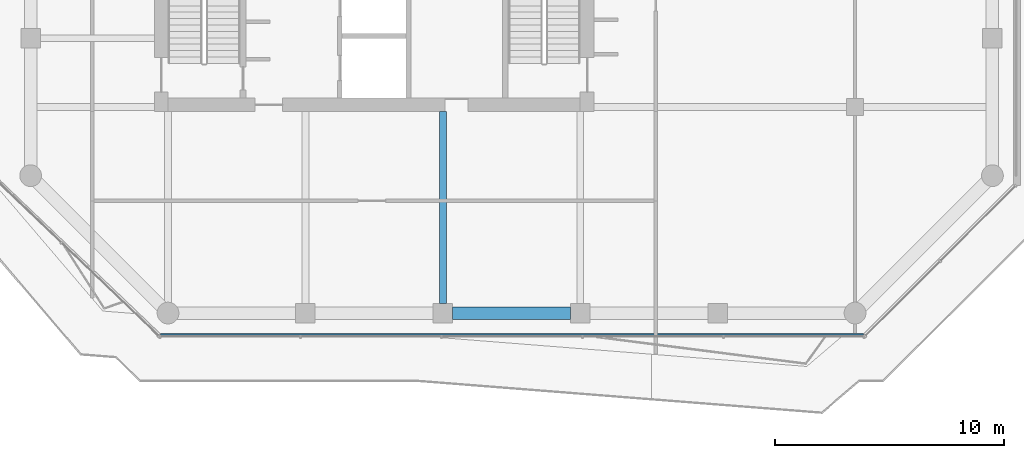
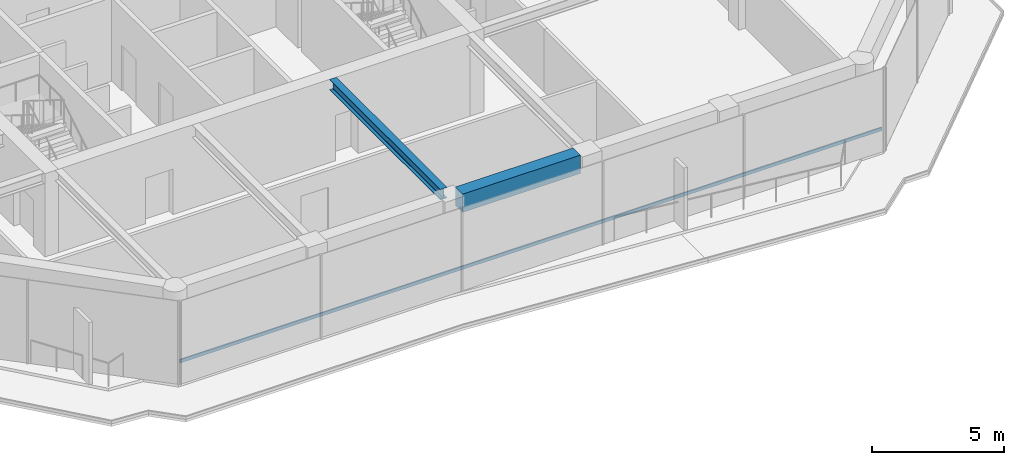
# One storey, part 3 of 22: 2 beams, 1 member, 1 element without a shape of its own.
"""IFC4 building model written with IfcOpenShell, lengths in metres."""

from ifc_helpers import new_model, si_unit, direction, frame, origin, origin_2d, place, context, subcontext, project, spatial, rectangle, i_section, extrude, material, layer, layer_set, material_profile, profile_set, type_object, element, aggregate, save


model = new_model("IFC4")

# Units and contexts
model_context = context("Model", 3, precision=1e-05, world=origin(), true_north=direction((0.0, 1.0)))
body_context = subcontext(model_context, "Body", "Model", "MODEL_VIEW")
ifc_project = project(units=[si_unit("LENGTHUNIT", "METRE"), si_unit("AREAUNIT", "SQUARE_METRE"), si_unit("VOLUMEUNIT", "CUBIC_METRE"), si_unit("PLANEANGLEUNIT", "RADIAN"), si_unit("MASSUNIT", "GRAM", prefix="KILO")], contexts=[model_context])

# Site, building, storey
site_placement = place(None, origin())
site = spatial("IfcSite", under=ifc_project, at=site_placement, CompositionType="ELEMENT")
building_placement = place(site_placement, origin())
building = spatial("IfcBuilding", under=site, at=building_placement, Name="Welwitschia Terrace Campus", CompositionType="ELEMENT")
storey_placement = place(building_placement, frame((0.0, 0.0, 150.800048828125)))
storey = spatial("IfcBuildingStorey", under=building, at=storey_placement, Name="L33", CompositionType="ELEMENT", Elevation=150.800048828125)

# Beams
ifc_material_1 = material(Name="Steel S355", Category="steel")
ifc_material_profile_1 = material_profile(ifc_material_1, i_section(OverallWidth=0.300048828125, OverallDepth=0.489990234375, WebThickness=0.011962890625, FlangeThickness=0.02294921875, FilletRadius=0.027099609375, at=origin_2d()))
ifc_profile_set_1 = profile_set([ifc_material_profile_1], Name="Steel S355")
beam_type_1 = type_object("IfcBeamType", Name="Interior girder HE 500 A", PredefinedType="BEAM", material=ifc_profile_set_1)
beam_1_placement = place(storey_placement, frame((18.0, -3.58447265625, 3.60498046875), z_axis=(0.0, 1.0, 0.0), x_axis=(-1.0, 0.0, 0.0)))
element("IfcBeam", 1, at=beam_1_placement, inside=storey, type_object=beam_type_1, Name="Girder GB4", PredefinedType="BEAM", context=body_context, shape_type="SweptSolid", body=[
    extrude(i_section(OverallWidth=0.300048828125, OverallDepth=0.489990234375, WebThickness=0.011962890625, FlangeThickness=0.02294921875, FilletRadius=0.027099609375, at=origin_2d()), origin(), (0.0, 0.0, 1.0), 8.383544921875),
])
ifc_material_2 = material(Name="Concrete C50/60", Category="concrete")
ifc_material_profile_2 = material_profile(ifc_material_2, rectangle(XDim=0.550048828125, YDim=0.85009765625, at=origin_2d()))
ifc_profile_set_2 = profile_set([ifc_material_profile_2], Name="Concrete C50/60")
beam_type_2 = type_object("IfcBeamType", Name="Ring spandrel 550x850", PredefinedType="SPANDREL", material=ifc_profile_set_2)
beam_2_placement = place(storey_placement, frame((18.425537109375, -4.0, 3.425048828125), z_axis=(1.0, 0.0, 0.0), x_axis=(0.0, 1.0, 0.0)))
element("IfcBeam", 2, at=beam_2_placement, inside=storey, type_object=beam_type_2, Name="Spandrel SP3", PredefinedType="SPANDREL", context=body_context, shape_type="SweptSolid", body=[
    extrude(rectangle(XDim=0.550048828125, YDim=0.85009765625, at=origin_2d()), origin(), (0.0, 0.0, 1.0), 5.14892578125),
])

# Curtain wall, member
ifc_material_3 = material(Name="Bronze anodised aluminium", Category="aluminium")
ifc_layer = layer(ifc_material_3, 0.1201171875)
ifc_layer_set = layer_set([ifc_layer], Name="Bronze anodised aluminium")
curtain_wall_type = type_object("IfcCurtainWallType", Name="Curtain wall CW2 tower 6000", PredefinedType="NOTDEFINED", material=ifc_layer_set)
curtain_wall_placement = place(storey_placement, origin())
curtain_wall = element("IfcCurtainWall", 3, at=curtain_wall_placement, inside=storey, type_object=curtain_wall_type, Name="CW L33.3.0", PredefinedType="NOTDEFINED")
ifc_material_4 = material(Name="Bronze anodised aluminium", Category="aluminium")
ifc_material_profile_3 = material_profile(ifc_material_4, rectangle(XDim=0.06005859375, YDim=0.14990234375, at=origin_2d()))
ifc_profile_set_3 = profile_set([ifc_material_profile_3], Name="Bronze anodised aluminium")
member_type = type_object("IfcMemberType", Name="Transom 60x150", PredefinedType="USERDEFINED", material=ifc_profile_set_3)
member_placement = place(storey_placement, frame((5.674560546875, -4.93994140625, 1.0), z_axis=(1.0, 0.0, 0.0), x_axis=(0.0, 1.0, 0.0)))
member = element("IfcMember", 4, at=member_placement, type_object=member_type, Name="Transom L33.3.0", ObjectType="TRANSOM", PredefinedType="USERDEFINED", context=body_context, shape_type="SweptSolid", body=[
    extrude(rectangle(XDim=0.06005859375, YDim=0.14990234375, at=origin_2d()), origin(), (0.0, 0.0, 1.0), 30.692138671875),
])
aggregate(curtain_wall, [member])

save(model, "model.ifc")
